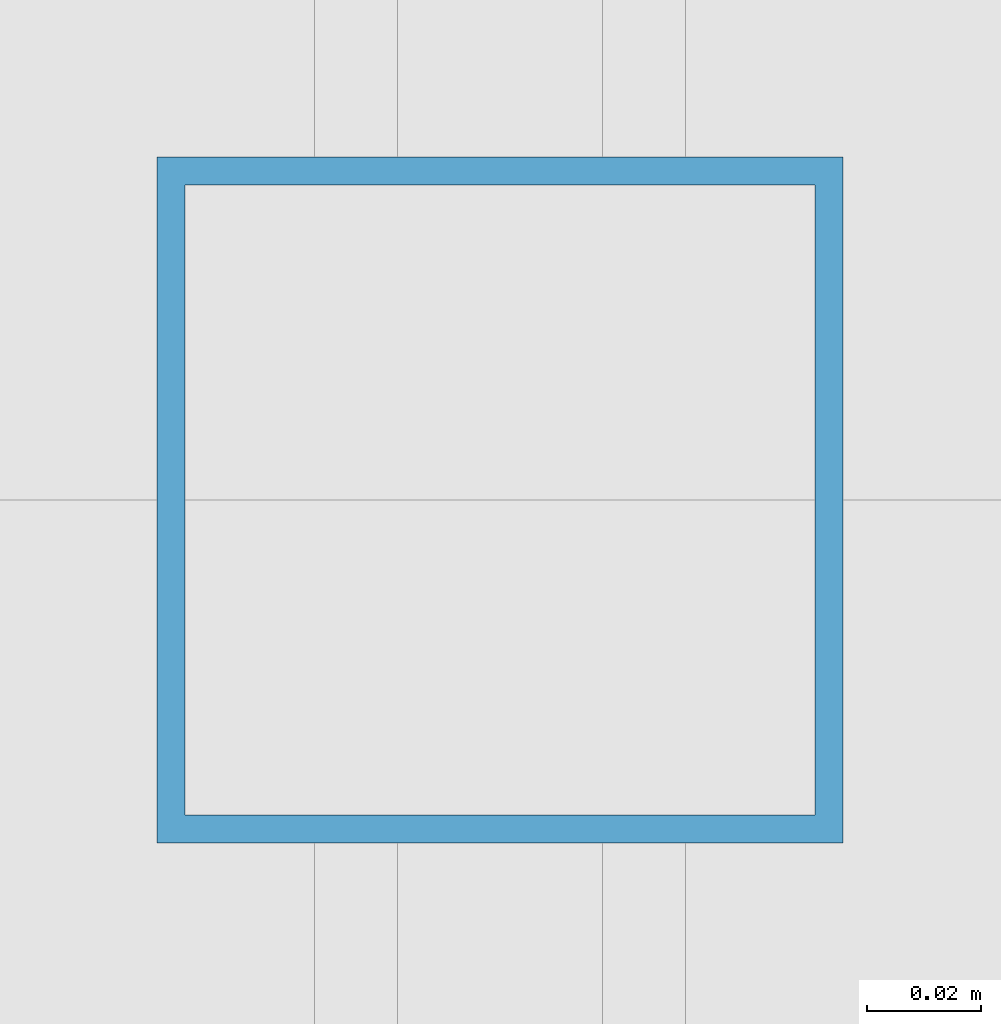
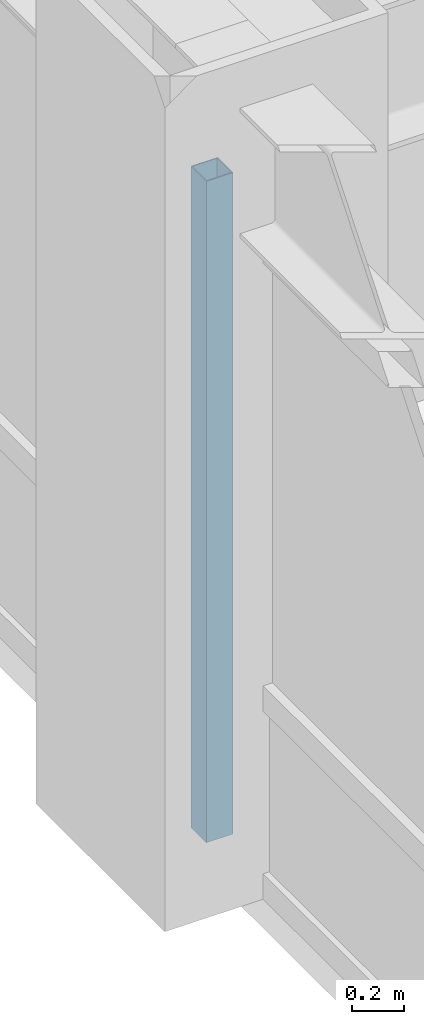
# One storey, part 6 of 25: 1 member, 1 element without a shape of its own.
"""IFC4 building model written with IfcOpenShell, lengths in metres."""

from ifc_helpers import new_model, si_unit, direction, frame, origin, origin_2d, place, context, subcontext, project, spatial, hollow_rectangle, extrude, source, transform, mapped, material, material_profile, profile_set, type_object, element, aggregate, save


model = new_model("IFC4")

# Units and contexts
model_context = context("Model", 3, precision=1e-05, world=origin(), true_north=direction((0.0, 1.0)))
body_context = subcontext(model_context, "Body", "Model", "MODEL_VIEW")
ifc_project = project(units=[si_unit("LENGTHUNIT", "METRE"), si_unit("AREAUNIT", "SQUARE_METRE"), si_unit("VOLUMEUNIT", "CUBIC_METRE"), si_unit("PLANEANGLEUNIT", "RADIAN"), si_unit("MASSUNIT", "GRAM", prefix="KILO")], contexts=[model_context])

# Site, building, storey
site_placement = place(None, origin())
site = spatial("IfcSite", under=ifc_project, at=site_placement, CompositionType="ELEMENT")
building_placement = place(site_placement, origin())
building = spatial("IfcBuilding", under=site, at=building_placement, Name="Khorayat Bourse Tower", CompositionType="ELEMENT")
storey_placement = place(building_placement, frame((0.0, 0.0, 251.10009765625)))
storey = spatial("IfcBuildingStorey", under=building, at=storey_placement, Name="L59", CompositionType="ELEMENT", Elevation=251.10009765625)

# Curtain wall, member
ifc_material = material(Name="Aluminium EN AW-6063 T6", Category="aluminium")
curtain_wall_type = type_object("IfcCurtainWallType", Name="CW-SYS-03", PredefinedType="NOTDEFINED", material=ifc_material)
curtain_wall_placement = place(storey_placement, origin())
curtain_wall = element("IfcCurtainWall", 1, at=curtain_wall_placement, inside=storey, type_object=curtain_wall_type, Name="L59 Curtain Wall CW-L59-W1", PredefinedType="NOTDEFINED")
ifc_material_profile = material_profile(ifc_material, hollow_rectangle(XDim=0.1201171875, YDim=0.1201171875, WallThickness=0.0048828125, at=origin_2d()), Name="ALU 120x120x5")
ifc_profile_set = profile_set([ifc_material_profile], Name="Aluminium EN AW-6063 T6")
member_type = type_object("IfcMemberType", Name="CWM-VERT-120", PredefinedType="MULLION", material=ifc_profile_set)
shared_shape = source(origin(), body_context, "Body", "SweptSolid", [
    extrude(hollow_rectangle(XDim=0.1201171875, YDim=0.1201171875, WallThickness=0.0048828125, at=origin_2d()), origin(), (0.0, 0.0, 1.0), 3.1298828125),
])
member_placement = place(storey_placement, frame((-30.0, 0.0, 0.0), z_axis=(0.0, 0.0, 1.0), x_axis=(-1.0, 0.0, 0.0)))
member = element("IfcMember", 2, at=member_placement, type_object=member_type, Name="CW-L59-W1 Vertical Mullion 2", PredefinedType="MULLION", context=body_context, shape_type="MappedRepresentation", body=[
    mapped(shared_shape, transform((0.0, 0.0, 0.0), scale=1.0)),
])
aggregate(curtain_wall, [member])

save(model, "model.ifc")
